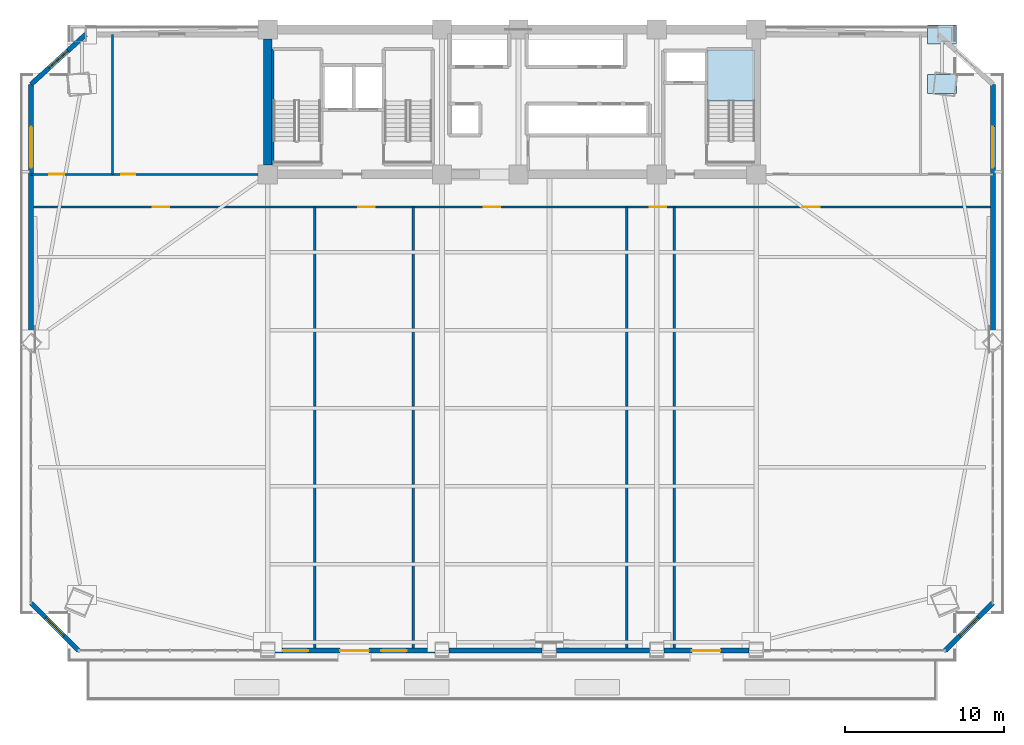
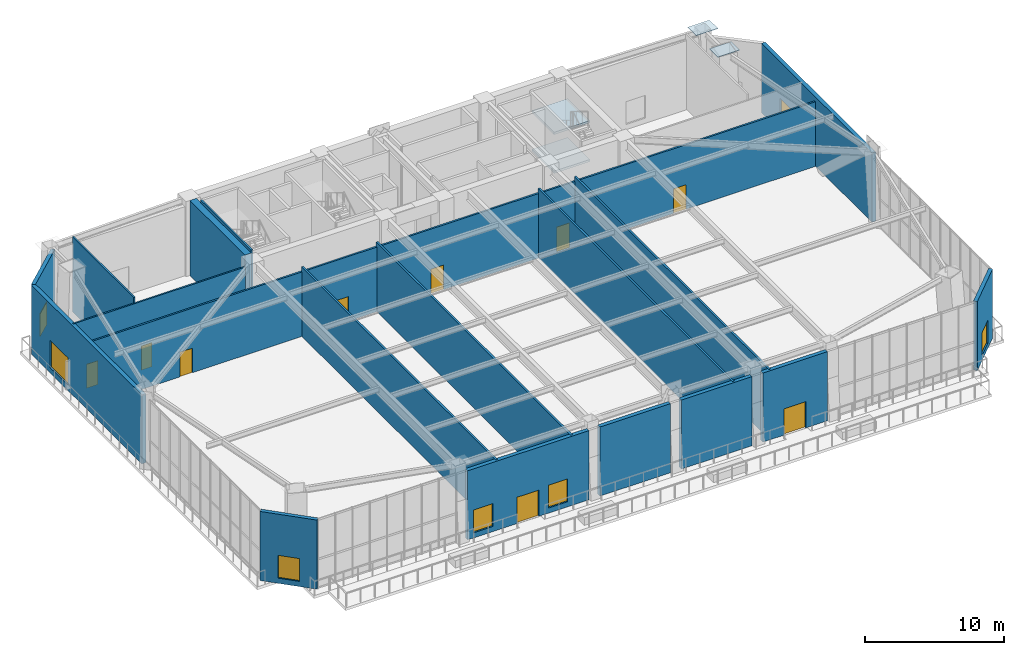
# One storey, part 14 of 22: 18 walls, 9 doors, 7 windows, 2 plates, 2 slabs, 16 openings, 1 element without a shape of its own.
"""IFC4 building model written with IfcOpenShell, lengths in metres."""

from ifc_helpers import new_model, si_unit, direction, frame, frame_2d, origin, origin_2d, place, context, subcontext, project, spatial, polyline, rectangle, outline, extrude, source, transform, mapped, material, layer, layer_set, type_object, element, fill, aggregate, save


model = new_model("IFC4")

# Units and contexts
model_context = context("Model", 3, precision=1e-05, world=origin(), true_north=direction((0.0, 1.0)))
body_context = subcontext(model_context, "Body", "Model", "MODEL_VIEW")
ifc_project = project(units=[si_unit("LENGTHUNIT", "METRE"), si_unit("AREAUNIT", "SQUARE_METRE"), si_unit("VOLUMEUNIT", "CUBIC_METRE"), si_unit("PLANEANGLEUNIT", "RADIAN"), si_unit("MASSUNIT", "GRAM", prefix="KILO")], contexts=[model_context])

# Site, building, storey
site_placement = place(None, origin())
site = spatial("IfcSite", under=ifc_project, at=site_placement, CompositionType="ELEMENT")
building_placement = place(site_placement, origin())
building = spatial("IfcBuilding", under=site, at=building_placement, Name="Giltprow Tower", CompositionType="ELEMENT")
storey_placement = place(building_placement, frame((0.0, 0.0, 130.89990234375)))
storey = spatial("IfcBuildingStorey", under=building, at=storey_placement, Name="L32", CompositionType="ELEMENT", Elevation=130.89990234375)

# Stair, slabs
ifc_material_1 = material(Name="Concrete C40", Category="concrete")
stair_type = type_object("IfcStairType", Name="STR-ST-3", PredefinedType="HALF_TURN_STAIR", material=ifc_material_1)
stair_placement = place(storey_placement, origin())
stair = element("IfcStair", 1, at=stair_placement, inside=storey, type_object=stair_type, Name="L32 Core Exit Stair ST-3", PredefinedType="HALF_TURN_STAIR")
ifc_layer_1 = layer(ifc_material_1, 0.196044921875, Name="Concrete C40")
ifc_layer_set_1 = layer_set([ifc_layer_1], Name="Concrete C40")
slab_type = type_object("IfcSlabType", Name="SLD-ST-3", PredefinedType="LANDING", material=ifc_layer_set_1)
slab_1_placement = place(storey_placement, frame((0.0, 0.0, 1.504150390625)))
slab_1 = element("IfcSlab", 2, at=slab_1_placement, type_object=slab_type, Name="ST-3 landing 1", PredefinedType="LANDING", context=body_context, shape_type="SweptSolid", body=[
    extrude(outline(polyline([(50.4599609375, 42.070068359375), (50.4599609375, 45.25), (47.5, 45.25), (47.5, 42.070068359375), (50.4599609375, 42.070068359375)])), origin(), (0.0, 0.0, 1.0), 0.196044921875),
])
slab_2_placement = place(storey_placement, frame((0.0, 0.0, 4.904052734375)))
slab_2 = element("IfcSlab", 3, at=slab_2_placement, type_object=slab_type, Name="ST-3 landing 3", PredefinedType="LANDING", context=body_context, shape_type="SweptSolid", body=[
    extrude(outline(polyline([(50.4599609375, 42.070068359375), (50.4599609375, 45.25), (47.5, 45.25), (47.5, 42.070068359375), (50.4599609375, 42.070068359375)])), origin(), (0.0, 0.0, 1.0), 0.196044921875),
])
aggregate(stair, [slab_1, slab_2])

# Plates
ifc_material_2 = material(Name="Structural steel Q420GJC", Category="steel")
plate_type = type_object("IfcPlateType", Name="PLT-NODE-CKN1", PredefinedType="USERDEFINED", material=ifc_material_2)
shared_shape_1 = source(origin(), body_context, "Body", "SweptSolid", [
    extrude(rectangle(XDim=1.800048828125, YDim=1.199951171875, at=origin_2d()), origin(), (0.0, 0.0, 1.0), 0.044921875),
])
for number, where, z_axis, x_axis, name in (
    (4, (62.220947265625, 43.134033203125, 6.527587890625), (0.0, 0.0, 1.0), (1.0, 0.0, 0.0), "CKN1 Column Taper Splice Node L32-MC_NE"),
    (5, (62.220947265625, 46.25, 6.527587890625), (0.0, 0.0, 1.0), (1.0, 0.0, 0.0), "CKN1 Column Taper Splice Node L32-N_E"),
):
    element("IfcPlate", number, at=place(storey_placement, frame(where, z_axis=z_axis, x_axis=x_axis)), inside=storey, type_object=plate_type, Name=name, ObjectType="SPLICE", PredefinedType="USERDEFINED", context=body_context, shape_type="MappedRepresentation", body=[
        mapped(shared_shape_1, transform((0.0, 0.0, 0.0), x_axis=(1.0, 0.0, 0.0), y_axis=(0.0, 1.0, 0.0), z_axis=(0.0, 0.0, 1.0), scale=1.0)),
    ])

# Wall, opening, window
ifc_material_3 = material(Name="Precast concrete C40", Category="concrete")
ifc_layer_2 = layer(ifc_material_3, 0.300048828125, Name="Precast concrete C40")
ifc_layer_set_2 = layer_set([ifc_layer_2], Name="Precast concrete C40")
wall_type_1 = type_object("IfcWallType", Name="EW-NOTCH-CHAMFER-300", PredefinedType="SOLIDWALL", material=ifc_layer_set_2)
wall_1_placement = place(storey_placement, frame((4.97900390625, 10.509033203125, 0.0), z_axis=(0.0, 0.0, 1.0), x_axis=(0.707106781187, -0.707106781187, 0.0)))
wall_1 = element("IfcWall", 6, at=wall_1_placement, inside=storey, type_object=wall_type_1, Name="L32 Corner Notch Wall SW", PredefinedType="SOLIDWALL", context=body_context, shape_type="SweptSolid", body=[
    extrude(rectangle(XDim=4.22998046875, YDim=0.300048828125, at=frame_2d((2.114990234375, 0.0))), origin(), (0.0, 0.0, 1.0), 6.050048828125),
])
opening_1_placement = place(wall_1_placement, frame((1.31494140625, 0.0, 0.449951171875)))
opening_1 = element("IfcOpeningElement", 7, at=opening_1_placement, cuts=wall_1, Name="Opening WN17", PredefinedType="OPENING", context=body_context, shape_type="SweptSolid", body=[
    extrude(rectangle(XDim=1.60009765625, YDim=2.0, at=frame_2d((0.800048828125, 1.0))), frame((0.0, 0.159912109375, 0.0), z_axis=(0.0, -1.0, 0.0), x_axis=(1.0, 0.0, 0.0)), (0.0, 0.0, 1.0), 0.320068359375),
])
ifc_material_4 = material(Name="Insulated glass", Category="glass")
window_type_1 = type_object("IfcWindowType", Name="WN-COR-1600x2000", PartitioningType="SINGLE_PANEL", PredefinedType="WINDOW", material=ifc_material_4)
shared_shape_2 = source(origin(), body_context, "Body", "SweptSolid", [
    extrude(rectangle(XDim=1.60009765625, YDim=2.0, at=frame_2d((0.800048828125, 1.0))), frame((0.0, 0.030029296875, 0.0), z_axis=(0.0, -1.0, 0.0), x_axis=(1.0, 0.0, 0.0)), (0.0, 0.0, 1.0), 0.06005859375),
])
window_1_placement = place(opening_1_placement, origin())
window_1 = element("IfcWindow", 8, at=window_1_placement, inside=storey, type_object=window_type_1, Name="L32 Corner Notch Window SW", OverallHeight=2.0, OverallWidth=1.60009765625, PartitioningType="SINGLE_PANEL", PredefinedType="WINDOW", context=body_context, shape_type="MappedRepresentation", body=[
    mapped(shared_shape_2, transform((0.0, 0.0, 0.0), x_axis=(1.0, 0.0, 0.0), y_axis=(0.0, 1.0, 0.0), z_axis=(0.0, 0.0, 1.0), scale=1.0)),
])
fill(opening_1, window_1)

wall_2_placement = place(storey_placement, frame((62.429931640625, 7.51806640625, 0.0), z_axis=(0.0, 0.0, 1.0), x_axis=(0.707106781187, 0.707106781187, 0.0)))
wall_2 = element("IfcWall", 9, at=wall_2_placement, inside=storey, type_object=wall_type_1, Name="L32 Corner Notch Wall SE", PredefinedType="SOLIDWALL", context=body_context, shape_type="SweptSolid", body=[
    extrude(rectangle(XDim=4.22998046875, YDim=0.300048828125, at=frame_2d((2.114990234375, 0.0))), origin(), (0.0, 0.0, 1.0), 6.050048828125),
])
opening_2_placement = place(wall_2_placement, frame((1.31494140625, 0.0, 0.449951171875)))
opening_2 = element("IfcOpeningElement", 10, at=opening_2_placement, cuts=wall_2, Name="Opening WN17", PredefinedType="OPENING", context=body_context, shape_type="SweptSolid", body=[
    extrude(rectangle(XDim=1.60009765625, YDim=2.0, at=frame_2d((0.800048828125, 1.0))), frame((0.0, 0.159912109375, 0.0), z_axis=(0.0, -1.0, 0.0), x_axis=(1.0, 0.0, 0.0)), (0.0, 0.0, 1.0), 0.320068359375),
])
window_2_placement = place(opening_2_placement, origin())
window_2 = element("IfcWindow", 11, at=window_2_placement, inside=storey, type_object=window_type_1, Name="L32 Corner Notch Window SE", OverallHeight=2.0, OverallWidth=1.60009765625, PartitioningType="SINGLE_PANEL", PredefinedType="WINDOW", context=body_context, shape_type="MappedRepresentation", body=[
    mapped(shared_shape_2, transform((0.0, 0.0, 0.0), x_axis=(1.0, 0.0, 0.0), y_axis=(0.0, 1.0, 0.0), z_axis=(0.0, 0.0, 1.0), scale=1.0)),
])
fill(opening_2, window_2)

wall_3_placement = place(storey_placement, frame((8.419921875, 46.25, 0.0), z_axis=(0.0, 0.0, 1.0), x_axis=(-0.738549020912, -0.674199780265, 0.0)))
wall_3 = element("IfcWall", 12, at=wall_3_placement, inside=storey, type_object=wall_type_1, Name="L32 Corner Notch Wall NW", PredefinedType="SOLIDWALL", context=body_context, shape_type="SweptSolid", body=[
    extrude(rectangle(XDim=4.658935546875, YDim=0.300048828125, at=frame_2d((2.32958984375, 0.0))), origin(), (0.0, 0.0, 1.0), 6.050048828125),
])
opening_3_placement = place(wall_3_placement, frame((1.530029296875, 0.0, 0.449951171875)))
opening_3 = element("IfcOpeningElement", 13, at=opening_3_placement, cuts=wall_3, Name="Opening WN17", PredefinedType="OPENING", context=body_context, shape_type="SweptSolid", body=[
    extrude(rectangle(XDim=1.60009765625, YDim=2.0, at=frame_2d((0.800048828125, 1.0))), frame((0.0, 0.159912109375, 0.0), z_axis=(0.0, -1.0, 0.0), x_axis=(1.0, 0.0, 0.0)), (0.0, 0.0, 1.0), 0.320068359375),
])
window_3_placement = place(opening_3_placement, origin())
window_3 = element("IfcWindow", 14, at=window_3_placement, inside=storey, type_object=window_type_1, Name="L32 Corner Notch Window NW", OverallHeight=2.0, OverallWidth=1.60009765625, PartitioningType="SINGLE_PANEL", PredefinedType="WINDOW", context=body_context, shape_type="MappedRepresentation", body=[
    mapped(shared_shape_2, transform((0.0, 0.0, 0.0), x_axis=(1.0, 0.0, 0.0), y_axis=(0.0, 1.0, 0.0), z_axis=(0.0, 0.0, 1.0), scale=1.0)),
])
fill(opening_3, window_3)

# Wall, openings, door, windows
ifc_layer_3 = layer(ifc_material_3, 0.320068359375, Name="Precast concrete C40")
ifc_layer_set_3 = layer_set([ifc_layer_3], Name="Precast concrete C40")
wall_type_2 = type_object("IfcWallType", Name="EW-TOW-STONE-320", PredefinedType="SOLIDWALL", material=ifc_layer_set_3)
wall_4_placement = place(storey_placement, frame((20.300048828125, 7.51806640625, 0.0), z_axis=(0.0, 0.0, 1.0), x_axis=(1.0, 0.0, 0.0)))
wall_4 = element("IfcWall", 15, at=wall_4_placement, inside=storey, type_object=wall_type_2, Name="L32 South Expressed Frame Wall 2", PredefinedType="SOLIDWALL", context=body_context, shape_type="SweptSolid", body=[
    extrude(rectangle(XDim=10.050048828125, YDim=0.320068359375, at=frame_2d((5.02490234375, 0.0))), origin(), (0.0, 0.0, 1.0), 6.050048828125),
])
opening_4_placement = place(wall_4_placement, frame((4.10009765625, 0.0, 0.0)))
opening_4 = element("IfcOpeningElement", 16, at=opening_4_placement, cuts=wall_4, Name="Opening ED15", PredefinedType="OPENING", context=body_context, shape_type="SweptSolid", body=[
    extrude(rectangle(XDim=1.800048828125, YDim=2.300048828125, at=frame_2d((0.89990234375, 1.14990234375))), frame((0.0, 0.169921875, 0.0), z_axis=(0.0, -1.0, 0.0), x_axis=(1.0, 0.0, 0.0)), (0.0, 0.0, 1.0), 0.340087890625),
])
opening_5_placement = place(wall_4_placement, frame((0.47998046875, 0.0, 0.449951171875)))
opening_5 = element("IfcOpeningElement", 17, at=opening_5_placement, cuts=wall_4, Name="Opening WN17", PredefinedType="OPENING", context=body_context, shape_type="SweptSolid", body=[
    extrude(rectangle(XDim=1.60009765625, YDim=2.0, at=frame_2d((0.800048828125, 1.0))), frame((0.0, 0.169921875, 0.0), z_axis=(0.0, -1.0, 0.0), x_axis=(1.0, 0.0, 0.0)), (0.0, 0.0, 1.0), 0.340087890625),
])
opening_6_placement = place(wall_4_placement, frame((6.679931640625, 0.0, 0.449951171875)))
opening_6 = element("IfcOpeningElement", 18, at=opening_6_placement, cuts=wall_4, Name="Opening WN17", PredefinedType="OPENING", context=body_context, shape_type="SweptSolid", body=[
    extrude(rectangle(XDim=1.60009765625, YDim=2.0, at=frame_2d((0.800048828125, 1.0))), frame((0.0, 0.169921875, 0.0), z_axis=(0.0, -1.0, 0.0), x_axis=(1.0, 0.0, 0.0)), (0.0, 0.0, 1.0), 0.340087890625),
])
ifc_material_5 = material(Name="Anodized bronze and glass", Category="glass")
door_type_1 = type_object("IfcDoorType", Name="DR-TERR-SWING-1800", OperationType="DOUBLE_SWING_LEFT", PredefinedType="DOOR", material=ifc_material_5)
shared_shape_3 = source(origin(), body_context, "Body", "SweptSolid", [
    extrude(rectangle(XDim=1.800048828125, YDim=2.300048828125, at=frame_2d((0.89990234375, 1.14990234375))), frame((0.0, 0.02490234375, 0.0), z_axis=(0.0, -1.0, 0.0), x_axis=(1.0, 0.0, 0.0)), (0.0, 0.0, 1.0), 0.050048828125),
])
door_1_placement = place(opening_4_placement, origin())
door_1 = element("IfcDoor", 19, at=door_1_placement, inside=storey, type_object=door_type_1, Name="L32 Sky Garden Terrace Door 1", OperationType="DOUBLE_SWING_LEFT", OverallHeight=2.300048828125, OverallWidth=1.800048828125, PredefinedType="DOOR", context=body_context, shape_type="MappedRepresentation", body=[
    mapped(shared_shape_3, transform((0.0, 0.0, 0.0), x_axis=(1.0, 0.0, 0.0), y_axis=(0.0, 1.0, 0.0), z_axis=(0.0, 0.0, 1.0), scale=1.0)),
])
fill(opening_4, door_1)
window_4_placement = place(opening_5_placement, origin())
window_4 = element("IfcWindow", 20, at=window_4_placement, inside=storey, type_object=window_type_1, Name="L32 Sky Garden Window 1", OverallHeight=2.0, OverallWidth=1.60009765625, PartitioningType="SINGLE_PANEL", PredefinedType="WINDOW", context=body_context, shape_type="MappedRepresentation", body=[
    mapped(shared_shape_2, transform((0.0, 0.0, 0.0), x_axis=(1.0, 0.0, 0.0), y_axis=(0.0, 1.0, 0.0), z_axis=(0.0, 0.0, 1.0), scale=1.0)),
])
fill(opening_5, window_4)
window_5_placement = place(opening_6_placement, origin())
window_5 = element("IfcWindow", 21, at=window_5_placement, inside=storey, type_object=window_type_1, Name="L32 Sky Garden Window 2", OverallHeight=2.0, OverallWidth=1.60009765625, PartitioningType="SINGLE_PANEL", PredefinedType="WINDOW", context=body_context, shape_type="MappedRepresentation", body=[
    mapped(shared_shape_2, transform((0.0, 0.0, 0.0), x_axis=(1.0, 0.0, 0.0), y_axis=(0.0, 1.0, 0.0), z_axis=(0.0, 0.0, 1.0), scale=1.0)),
])
fill(opening_6, window_5)

# Walls
for number, where, z_axis, x_axis, name in (
    (22, (31.25, 7.51806640625, 0.0), (0.0, 0.0, 1.0), (1.0, 0.0, 0.0), "L32 South Expressed Frame Wall 3"),
    (23, (38.0, 7.51806640625, 0.0), (0.0, 0.0, 1.0), (1.0, 0.0, 0.0), "L32 South Expressed Frame Wall 4"),
):
    element("IfcWall", number, at=place(storey_placement, frame(where, z_axis=z_axis, x_axis=x_axis)), inside=storey, type_object=wall_type_2, Name=name, PredefinedType="SOLIDWALL", context=body_context, shape_type="SweptSolid", body=[
        extrude(rectangle(XDim=5.85009765625, YDim=0.320068359375, at=frame_2d((2.925048828125, 0.0))), origin(), (0.0, 0.0, 1.0), 6.050048828125),
    ])

# Wall, opening, door
wall_5_placement = place(storey_placement, frame((44.75, 7.51806640625, 0.0), z_axis=(0.0, 0.0, 1.0), x_axis=(1.0, 0.0, 0.0)))
wall_5 = element("IfcWall", 24, at=wall_5_placement, inside=storey, type_object=wall_type_2, Name="L32 South Expressed Frame Wall 5", PredefinedType="SOLIDWALL", context=body_context, shape_type="SweptSolid", body=[
    extrude(rectangle(XDim=5.35009765625, YDim=0.320068359375, at=frame_2d((2.675048828125, 0.0))), origin(), (0.0, 0.0, 1.0), 6.050048828125),
])
opening_7_placement = place(wall_5_placement, frame((1.75, 0.0, 0.0)))
opening_7 = element("IfcOpeningElement", 25, at=opening_7_placement, cuts=wall_5, Name="Opening ED15", PredefinedType="OPENING", context=body_context, shape_type="SweptSolid", body=[
    extrude(rectangle(XDim=1.800048828125, YDim=2.300048828125, at=frame_2d((0.89990234375, 1.14990234375))), frame((0.0, 0.169921875, 0.0), z_axis=(0.0, -1.0, 0.0), x_axis=(1.0, 0.0, 0.0)), (0.0, 0.0, 1.0), 0.340087890625),
])
door_2_placement = place(opening_7_placement, origin())
door_2 = element("IfcDoor", 26, at=door_2_placement, inside=storey, type_object=door_type_1, Name="L32 Sky Garden Terrace Door 2", OperationType="DOUBLE_SWING_RIGHT", OverallHeight=2.300048828125, OverallWidth=1.800048828125, PredefinedType="DOOR", context=body_context, shape_type="MappedRepresentation", body=[
    mapped(shared_shape_3, transform((0.0, 0.0, 0.0), x_axis=(1.0, 0.0, 0.0), y_axis=(0.0, 1.0, 0.0), z_axis=(0.0, 0.0, 1.0), scale=1.0)),
])
fill(opening_7, door_2)

# Wall, opening, window
wall_6_placement = place(storey_placement, frame((4.97900390625, 27.259033203125, 0.0), z_axis=(0.0, 0.0, 1.0), x_axis=(0.0, 1.0, 0.0)))
wall_6 = element("IfcWall", 27, at=wall_6_placement, inside=storey, type_object=wall_type_2, Name="L32 W Wing Masonry Wall 2", PredefinedType="SOLIDWALL", context=body_context, shape_type="SweptSolid", body=[
    extrude(rectangle(XDim=15.849853515625, YDim=0.320068359375, at=frame_2d((7.9248046875, 0.0))), origin(), (0.0, 0.0, 1.0), 6.050048828125),
])
opening_8_placement = place(wall_6_placement, frame((10.595947265625, 0.0, 0.449951171875)))
opening_8 = element("IfcOpeningElement", 28, at=opening_8_placement, cuts=wall_6, Name="Opening WN19", PredefinedType="OPENING", context=body_context, shape_type="SweptSolid", body=[
    extrude(rectangle(XDim=2.60009765625, YDim=2.39990234375, at=frame_2d((1.300048828125, 1.199951171875))), frame((0.0, 0.169921875, 0.0), z_axis=(0.0, -1.0, 0.0), x_axis=(1.0, 0.0, 0.0)), (0.0, 0.0, 1.0), 0.340087890625),
])
window_type_2 = type_object("IfcWindowType", Name="WN-OBS-2600x2400", PartitioningType="DOUBLE_PANEL_VERTICAL", PredefinedType="WINDOW", material=ifc_material_4)
shared_shape_4 = source(origin(), body_context, "Body", "SweptSolid", [
    extrude(rectangle(XDim=2.60009765625, YDim=2.39990234375, at=frame_2d((1.300048828125, 1.199951171875))), frame((0.0, 0.030029296875, 0.0), z_axis=(0.0, -1.0, 0.0), x_axis=(1.0, 0.0, 0.0)), (0.0, 0.0, 1.0), 0.06005859375),
])
window_6_placement = place(opening_8_placement, origin())
window_6 = element("IfcWindow", 29, at=window_6_placement, inside=storey, type_object=window_type_2, Name="L32 W Wing Window 2-1", OverallHeight=2.39990234375, OverallWidth=2.60009765625, PartitioningType="SINGLE_PANEL", PredefinedType="WINDOW", context=body_context, shape_type="MappedRepresentation", body=[
    mapped(shared_shape_4, transform((0.0, 0.0, 0.0), x_axis=(1.0, 0.0, 0.0), y_axis=(0.0, 1.0, 0.0), z_axis=(0.0, 0.0, 1.0), scale=1.0)),
])
fill(opening_8, window_6)

wall_7_placement = place(storey_placement, frame((65.4208984375, 27.259033203125, 0.0), z_axis=(0.0, 0.0, 1.0), x_axis=(0.0, 1.0, 0.0)))
wall_7 = element("IfcWall", 30, at=wall_7_placement, inside=storey, type_object=wall_type_2, Name="L32 E Wing Masonry Wall 2", PredefinedType="SOLIDWALL", context=body_context, shape_type="SweptSolid", body=[
    extrude(rectangle(XDim=15.849853515625, YDim=0.320068359375, at=frame_2d((7.9248046875, 0.0))), origin(), (0.0, 0.0, 1.0), 6.050048828125),
])
opening_9_placement = place(wall_7_placement, frame((10.595947265625, 0.0, 0.449951171875)))
opening_9 = element("IfcOpeningElement", 31, at=opening_9_placement, cuts=wall_7, Name="Opening WN19", PredefinedType="OPENING", context=body_context, shape_type="SweptSolid", body=[
    extrude(rectangle(XDim=2.60009765625, YDim=2.39990234375, at=frame_2d((1.300048828125, 1.199951171875))), frame((0.0, 0.169921875, 0.0), z_axis=(0.0, -1.0, 0.0), x_axis=(1.0, 0.0, 0.0)), (0.0, 0.0, 1.0), 0.340087890625),
])
window_7_placement = place(opening_9_placement, origin())
window_7 = element("IfcWindow", 32, at=window_7_placement, inside=storey, type_object=window_type_2, Name="L32 E Wing Window 2-1", OverallHeight=2.39990234375, OverallWidth=2.60009765625, PartitioningType="SINGLE_PANEL", PredefinedType="WINDOW", context=body_context, shape_type="MappedRepresentation", body=[
    mapped(shared_shape_4, transform((0.0, 0.0, 0.0), x_axis=(1.0, 0.0, 0.0), y_axis=(0.0, 1.0, 0.0), z_axis=(0.0, 0.0, 1.0), scale=1.0)),
])
fill(opening_9, window_7)

# Wall, openings, doors
ifc_material_6 = material(Name="Gypsum stud partition", Category="gypsum")
ifc_layer_4 = layer(ifc_material_6, 0.14990234375, Name="Gypsum stud partition")
ifc_layer_set_4 = layer_set([ifc_layer_4], Name="Gypsum stud partition")
wall_type_3 = type_object("IfcWallType", Name="IW-CORR-150", PredefinedType="PARTITIONING", material=ifc_layer_set_4)
wall_8_placement = place(storey_placement, frame((4.97900390625, 35.39990234375, 0.0), z_axis=(0.0, 0.0, 1.0), x_axis=(1.0, 0.0, 0.0)))
wall_8 = element("IfcWall", 33, at=wall_8_placement, inside=storey, type_object=wall_type_3, Name="L32 Sky Lobby Concourse Wall", PredefinedType="PARTITIONING", context=body_context, shape_type="SweptSolid", body=[
    extrude(rectangle(XDim=60.44189453125, YDim=0.14990234375, at=frame_2d((30.220947265625, 0.0))), origin(), (0.0, 0.0, 1.0), 5.655029296875),
])
opening_10_placement = place(wall_8_placement, frame((7.638916015625, 0.0, 0.0)))
opening_10 = element("IfcOpeningElement", 34, at=opening_10_placement, cuts=wall_8, Name="Opening ID31", PredefinedType="OPENING", context=body_context, shape_type="SweptSolid", body=[
    extrude(rectangle(XDim=1.050048828125, YDim=2.14990234375, at=frame_2d((0.52490234375, 1.074951171875))), frame((0.0, 0.0849609375, 0.0), z_axis=(0.0, -1.0, 0.0), x_axis=(1.0, 0.0, 0.0)), (0.0, 0.0, 1.0), 0.169921875),
])
opening_11_placement = place(wall_8_placement, frame((20.551025390625, 0.0, 0.0)))
opening_11 = element("IfcOpeningElement", 35, at=opening_11_placement, cuts=wall_8, Name="Opening ID31", PredefinedType="OPENING", context=body_context, shape_type="SweptSolid", body=[
    extrude(rectangle(XDim=1.050048828125, YDim=2.14990234375, at=frame_2d((0.52490234375, 1.074951171875))), frame((0.0, 0.0849609375, 0.0), z_axis=(0.0, -1.0, 0.0), x_axis=(1.0, 0.0, 0.0)), (0.0, 0.0, 1.0), 0.169921875),
])
opening_12_placement = place(wall_8_placement, frame((28.430908203125, 0.0, 0.0)))
opening_12 = element("IfcOpeningElement", 36, at=opening_12_placement, cuts=wall_8, Name="Opening ID31", PredefinedType="OPENING", context=body_context, shape_type="SweptSolid", body=[
    extrude(rectangle(XDim=1.050048828125, YDim=2.14990234375, at=frame_2d((0.52490234375, 1.074951171875))), frame((0.0, 0.0849609375, 0.0), z_axis=(0.0, -1.0, 0.0), x_axis=(1.0, 0.0, 0.0)), (0.0, 0.0, 1.0), 0.169921875),
])
opening_13_placement = place(wall_8_placement, frame((38.87109375, 0.0, 0.0)))
opening_13 = element("IfcOpeningElement", 37, at=opening_13_placement, cuts=wall_8, Name="Opening ID31", PredefinedType="OPENING", context=body_context, shape_type="SweptSolid", body=[
    extrude(rectangle(XDim=1.050048828125, YDim=2.14990234375, at=frame_2d((0.52490234375, 1.074951171875))), frame((0.0, 0.0849609375, 0.0), z_axis=(0.0, -1.0, 0.0), x_axis=(1.0, 0.0, 0.0)), (0.0, 0.0, 1.0), 0.169921875),
])
opening_14_placement = place(wall_8_placement, frame((48.5048828125, 0.0, 0.0)))
opening_14 = element("IfcOpeningElement", 38, at=opening_14_placement, cuts=wall_8, Name="Opening ID31", PredefinedType="OPENING", context=body_context, shape_type="SweptSolid", body=[
    extrude(rectangle(XDim=1.050048828125, YDim=2.14990234375, at=frame_2d((0.52490234375, 1.074951171875))), frame((0.0, 0.0849609375, 0.0), z_axis=(0.0, -1.0, 0.0), x_axis=(1.0, 0.0, 0.0)), (0.0, 0.0, 1.0), 0.169921875),
])
ifc_material_7 = material(Name="Engineered timber", Category="wood")
door_type_2 = type_object("IfcDoorType", Name="DR-SUITE-1050", OperationType="SINGLE_SWING_LEFT", PredefinedType="DOOR", material=ifc_material_7)
shared_shape_5 = source(origin(), body_context, "Body", "SweptSolid", [
    extrude(rectangle(XDim=1.050048828125, YDim=2.14990234375, at=frame_2d((0.52490234375, 1.074951171875))), frame((0.0, 0.02490234375, 0.0), z_axis=(0.0, -1.0, 0.0), x_axis=(1.0, 0.0, 0.0)), (0.0, 0.0, 1.0), 0.050048828125),
])
door_3_placement = place(opening_10_placement, origin())
door_3 = element("IfcDoor", 39, at=door_3_placement, inside=storey, type_object=door_type_2, Name="L32 Hotel Transfer Reception Hall Door", OperationType="SINGLE_SWING_LEFT", OverallHeight=2.14990234375, OverallWidth=1.050048828125, PredefinedType="DOOR", context=body_context, shape_type="MappedRepresentation", body=[
    mapped(shared_shape_5, transform((0.0, 0.0, 0.0), x_axis=(1.0, 0.0, 0.0), y_axis=(0.0, 1.0, 0.0), z_axis=(0.0, 0.0, 1.0), scale=1.0)),
])
fill(opening_10, door_3)
door_4_placement = place(opening_11_placement, origin())
door_4 = element("IfcDoor", 40, at=door_4_placement, inside=storey, type_object=door_type_2, Name="L32 Signature Riverview Lounge Door", OperationType="SINGLE_SWING_RIGHT", OverallHeight=2.14990234375, OverallWidth=1.050048828125, PredefinedType="DOOR", context=body_context, shape_type="MappedRepresentation", body=[
    mapped(shared_shape_5, transform((0.0, 0.0, 0.0), x_axis=(1.0, 0.0, 0.0), y_axis=(0.0, 1.0, 0.0), z_axis=(0.0, 0.0, 1.0), scale=1.0)),
])
fill(opening_11, door_4)
door_5_placement = place(opening_12_placement, origin())
door_5 = element("IfcDoor", 41, at=door_5_placement, inside=storey, type_object=door_type_2, Name="L32 Culinary Finishing Kitchen Door", OperationType="SINGLE_SWING_LEFT", OverallHeight=2.14990234375, OverallWidth=1.050048828125, PredefinedType="DOOR", context=body_context, shape_type="MappedRepresentation", body=[
    mapped(shared_shape_5, transform((0.0, 0.0, 0.0), x_axis=(1.0, 0.0, 0.0), y_axis=(0.0, 1.0, 0.0), z_axis=(0.0, 0.0, 1.0), scale=1.0)),
])
fill(opening_12, door_5)
door_6_placement = place(opening_13_placement, origin())
door_6 = element("IfcDoor", 42, at=door_6_placement, inside=storey, type_object=door_type_2, Name="L32 Sommelier Tasting Shop Door", OperationType="SINGLE_SWING_RIGHT", OverallHeight=2.14990234375, OverallWidth=1.050048828125, PredefinedType="DOOR", context=body_context, shape_type="MappedRepresentation", body=[
    mapped(shared_shape_5, transform((0.0, 0.0, 0.0), x_axis=(1.0, 0.0, 0.0), y_axis=(0.0, 1.0, 0.0), z_axis=(0.0, 0.0, 1.0), scale=1.0)),
])
fill(opening_13, door_6)
door_7_placement = place(opening_14_placement, origin())
door_7 = element("IfcDoor", 43, at=door_7_placement, inside=storey, type_object=door_type_2, Name="L32 VIP Board Meeting Room Door", OperationType="SINGLE_SWING_LEFT", OverallHeight=2.14990234375, OverallWidth=1.050048828125, PredefinedType="DOOR", context=body_context, shape_type="MappedRepresentation", body=[
    mapped(shared_shape_5, transform((0.0, 0.0, 0.0), x_axis=(1.0, 0.0, 0.0), y_axis=(0.0, 1.0, 0.0), z_axis=(0.0, 0.0, 1.0), scale=1.0)),
])
fill(opening_14, door_7)

# Walls
ifc_layer_5 = layer(ifc_material_6, 0.159912109375, Name="Gypsum stud partition")
ifc_layer_set_5 = layer_set([ifc_layer_5], Name="Gypsum stud partition")
wall_type_4 = type_object("IfcWallType", Name="IW-DEMISE-160", PredefinedType="PARTITIONING", material=ifc_layer_set_5)
for number, where, z_axis, x_axis, name in (
    (44, (22.800048828125, 7.51806640625, 0.0), (0.0, 0.0, 1.0), (0.0, 1.0, 0.0), "L32 Sky Lobby Partition 1"),
    (45, (29.0, 7.51806640625, 0.0), (0.0, 0.0, 1.0), (0.0, 1.0, 0.0), "L32 Sky Lobby Partition 2"),
    (46, (42.39990234375, 7.51806640625, 0.0), (0.0, 0.0, 1.0), (0.0, 1.0, 0.0), "L32 Sky Lobby Partition 3"),
    (47, (45.39990234375, 7.51806640625, 0.0), (0.0, 0.0, 1.0), (0.0, 1.0, 0.0), "L32 Sky Lobby Partition 4"),
):
    element("IfcWall", number, at=place(storey_placement, frame(where, z_axis=z_axis, x_axis=x_axis)), inside=storey, type_object=wall_type_4, Name=name, PredefinedType="PARTITIONING", context=body_context, shape_type="SweptSolid", body=[
        extrude(rectangle(XDim=27.8818359375, YDim=0.159912109375, at=frame_2d((13.94091796875, 0.0))), origin(), (0.0, 0.0, 1.0), 6.05517578125),
    ])
ifc_material_8 = material(Name="Concrete C45", Category="concrete")
ifc_layer_6 = layer(ifc_material_8, 0.139892578125, Name="Concrete C45")
ifc_layer_set_6 = layer_set([ifc_layer_6], Name="Concrete C45")
wall_type_5 = type_object("IfcWallType", Name="IW-STAIR-140", PredefinedType="SOLIDWALL", material=ifc_layer_set_6)
wall_9_placement = place(storey_placement, frame((20.169921875, 38.070068359375, 0.0), z_axis=(0.0, 0.0, 1.0), x_axis=(0.0, 1.0, 0.0)))
element("IfcWall", 48, at=wall_9_placement, inside=storey, type_object=wall_type_5, Name="L32 Stair ST-1 West Bearing Wall", PredefinedType="SOLIDWALL", context=body_context, shape_type="SweptSolid", body=[
    extrude(rectangle(XDim=7.25, YDim=0.139892578125, at=frame_2d((3.625, 0.0))), origin(), (0.0, 0.0, 1.0), 6.800048828125),
])

# Wall, openings, doors
ifc_material_9 = material(Name="Concrete C30", Category="concrete")
ifc_layer_7 = layer(ifc_material_9, 0.1298828125, Name="Concrete C30")
ifc_layer_set_7 = layer_set([ifc_layer_7], Name="Concrete C30")
wall_type_6 = type_object("IfcWallType", Name="IW-WET-130", PredefinedType="PARTITIONING", material=ifc_layer_set_7)
wall_10_placement = place(storey_placement, frame((4.97900390625, 37.449951171875, 0.0), z_axis=(0.0, 0.0, 1.0), x_axis=(1.0, 0.0, 0.0)))
wall_10 = element("IfcWall", 49, at=wall_10_placement, inside=storey, type_object=wall_type_6, Name="L32 NW Wing South Wall", PredefinedType="PARTITIONING", context=body_context, shape_type="SweptSolid", body=[
    extrude(rectangle(XDim=14.27099609375, YDim=0.1298828125, at=frame_2d((7.135498046875, 0.0))), origin(), (0.0, 0.0, 1.0), 6.05517578125),
])
opening_15_placement = place(wall_10_placement, frame((1.135009765625, 0.0, 0.0)))
opening_15 = element("IfcOpeningElement", 50, at=opening_15_placement, cuts=wall_10, Name="Opening ID11", PredefinedType="OPENING", context=body_context, shape_type="SweptSolid", body=[
    extrude(rectangle(XDim=0.949951171875, YDim=2.10009765625, at=frame_2d((0.47509765625, 1.050048828125))), frame((0.0, 0.074951171875, 0.0), z_axis=(0.0, -1.0, 0.0), x_axis=(1.0, 0.0, 0.0)), (0.0, 0.0, 1.0), 0.14990234375),
])
opening_16_placement = place(wall_10_placement, frame((5.655029296875, 0.0, 0.0)))
opening_16 = element("IfcOpeningElement", 51, at=opening_16_placement, cuts=wall_10, Name="Opening ID15", PredefinedType="OPENING", context=body_context, shape_type="SweptSolid", body=[
    extrude(rectangle(XDim=0.89990234375, YDim=2.10009765625, at=frame_2d((0.449951171875, 1.050048828125))), frame((0.0, 0.074951171875, 0.0), z_axis=(0.0, -1.0, 0.0), x_axis=(1.0, 0.0, 0.0)), (0.0, 0.0, 1.0), 0.14990234375),
])
door_type_3 = type_object("IfcDoorType", Name="DR-WC-900", OperationType="SINGLE_SWING_LEFT", PredefinedType="DOOR", material=ifc_material_7)
shared_shape_6 = source(origin(), body_context, "Body", "SweptSolid", [
    extrude(rectangle(XDim=0.89990234375, YDim=2.10009765625, at=frame_2d((0.449951171875, 1.050048828125))), frame((0.0, 0.02490234375, 0.0), z_axis=(0.0, -1.0, 0.0), x_axis=(1.0, 0.0, 0.0)), (0.0, 0.0, 1.0), 0.050048828125),
])
door_8_placement = place(opening_16_placement, origin())
door_8 = element("IfcDoor", 52, at=door_8_placement, inside=storey, type_object=door_type_3, Name="L32 NW Washroom Door", OperationType="SINGLE_SWING_LEFT", OverallHeight=2.10009765625, OverallWidth=0.89990234375, PredefinedType="DOOR", context=body_context, shape_type="MappedRepresentation", body=[
    mapped(shared_shape_6, transform((0.0, 0.0, 0.0), x_axis=(1.0, 0.0, 0.0), y_axis=(0.0, 1.0, 0.0), z_axis=(0.0, 0.0, 1.0), scale=1.0)),
])
fill(opening_16, door_8)
door_type_4 = type_object("IfcDoorType", Name="DR-ROOM-950", OperationType="SINGLE_SWING_RIGHT", PredefinedType="DOOR", material=ifc_material_7)
shared_shape_7 = source(origin(), body_context, "Body", "SweptSolid", [
    extrude(rectangle(XDim=0.949951171875, YDim=2.10009765625, at=frame_2d((0.47509765625, 1.050048828125))), frame((0.0, 0.02490234375, 0.0), z_axis=(0.0, -1.0, 0.0), x_axis=(1.0, 0.0, 0.0)), (0.0, 0.0, 1.0), 0.050048828125),
])
door_9_placement = place(opening_15_placement, origin())
door_9 = element("IfcDoor", 53, at=door_9_placement, inside=storey, type_object=door_type_4, Name="L32 Sky Garden Cloakroom Store West Door", OperationType="SINGLE_SWING_RIGHT", OverallHeight=2.10009765625, OverallWidth=0.949951171875, PredefinedType="DOOR", context=body_context, shape_type="MappedRepresentation", body=[
    mapped(shared_shape_7, transform((0.0, 0.0, 0.0), x_axis=(1.0, 0.0, 0.0), y_axis=(0.0, 1.0, 0.0), z_axis=(0.0, 0.0, 1.0), scale=1.0)),
])
fill(opening_15, door_9)

# Walls
wall_11_placement = place(storey_placement, frame((10.083984375, 37.449951171875, 0.0), z_axis=(0.0, 0.0, 1.0), x_axis=(0.0, 1.0, 0.0)))
element("IfcWall", 54, at=wall_11_placement, inside=storey, type_object=wall_type_6, Name="L32 NW Wing Divider", PredefinedType="PARTITIONING", context=body_context, shape_type="SweptSolid", body=[
    extrude(rectangle(XDim=8.800048828125, YDim=0.1298828125, at=frame_2d((4.39990234375, 0.0))), origin(), (0.0, 0.0, 1.0), 6.570068359375),
])
ifc_material_10 = material(Name="Concrete C60", Category="concrete")
ifc_layer_8 = layer(ifc_material_10, 0.550048828125, Name="Concrete C60")
ifc_layer_set_8 = layer_set([ifc_layer_8], Name="Concrete C60")
wall_type_7 = type_object("IfcWallType", Name="SW-INT-550-C60", PredefinedType="SHEAR", material=ifc_layer_set_8)
wall_12_placement = place(storey_placement, frame((19.85009765625, 38.050048828125, 0.0), z_axis=(0.0, 0.0, 1.0), x_axis=(0.0, 1.0, 0.0)))
element("IfcWall", 55, at=wall_12_placement, inside=storey, type_object=wall_type_7, Name="L32 W Rear Core Shear Wall", PredefinedType="SHEAR", context=body_context, shape_type="SweptSolid", body=[
    extrude(rectangle(XDim=7.89990234375, YDim=0.550048828125, at=frame_2d((3.949951171875, 0.0))), origin(), (0.0, 0.0, 1.0), 6.570068359375),
])

save(model, "model.ifc")
